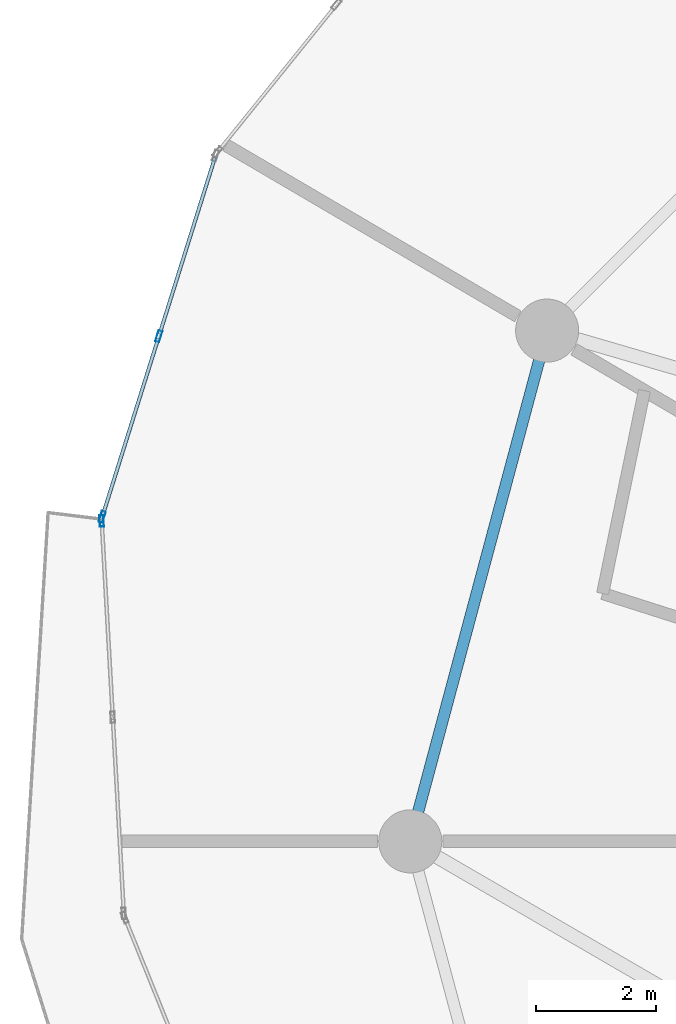
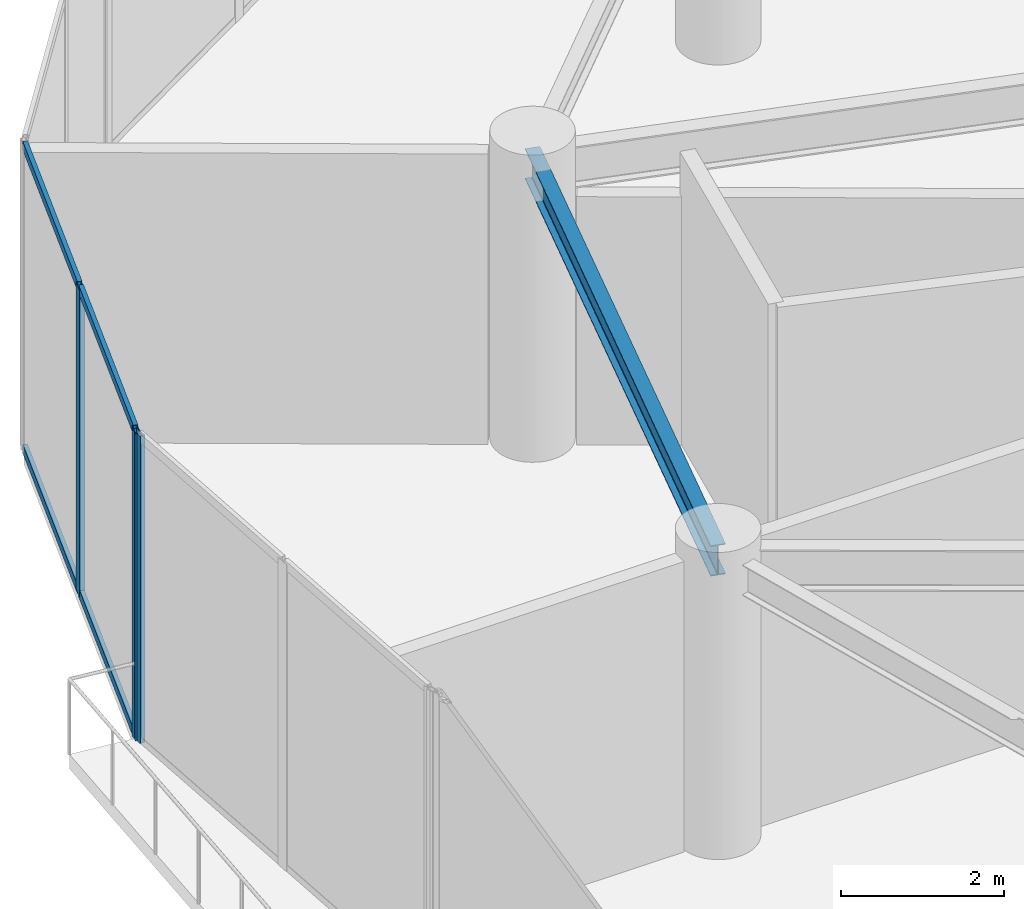
# One storey, part 9 of 28: 7 members, 1 beam, 2 elements without a shape of their own.
"""IFC4 building model written with IfcOpenShell, lengths in metres."""

from ifc_helpers import new_model, si_unit, direction, frame, origin, origin_2d, place, context, subcontext, project, spatial, hollow_rectangle, i_section, extrude, source, transform, mapped, material, layer, layer_set, material_profile, profile_set, type_object, element, aggregate, save


model = new_model("IFC4")

# Units and contexts
model_context = context("Model", 3, precision=1e-05, world=origin(), true_north=direction((0.0, 1.0)))
body_context = subcontext(model_context, "Body", "Model", "MODEL_VIEW")
ifc_project = project(units=[si_unit("LENGTHUNIT", "METRE"), si_unit("AREAUNIT", "SQUARE_METRE"), si_unit("VOLUMEUNIT", "CUBIC_METRE"), si_unit("PLANEANGLEUNIT", "RADIAN"), si_unit("MASSUNIT", "GRAM", prefix="KILO")], contexts=[model_context])

# Site, building, storey
site_placement = place(None, origin())
site = spatial("IfcSite", under=ifc_project, at=site_placement, CompositionType="ELEMENT")
building_placement = place(site_placement, origin())
building = spatial("IfcBuilding", under=site, at=building_placement, Name="Solvirekh Grand Hotel", CompositionType="ELEMENT")
storey_placement = place(building_placement, frame((0.0, 0.0, 98.0)))
storey = spatial("IfcBuildingStorey", under=building, at=storey_placement, Name="L24", CompositionType="ELEMENT", Elevation=98.0)

# Beam
ifc_material_1 = material(Name="Steel S355", Category="steel")
ifc_material_profile_1 = material_profile(ifc_material_1, i_section(OverallWidth=0.18994140625, OverallDepth=0.45703125, WebThickness=0.009033203125, FlangeThickness=0.013916015625, FilletRadius=0.012939453125, at=origin_2d()), Name="W460X74")
ifc_profile_set_1 = profile_set([ifc_material_profile_1], Name="Steel S355")
beam_type = type_object("IfcBeamType", Name="Spandrel_Ring_W460", PredefinedType="SPANDREL", material=ifc_profile_set_1)
beam_placement = place(storey_placement, frame((-14.721923828125, 8.5, 4.12109375), z_axis=(-0.258872908946, -0.965911391906, 0.0), x_axis=(0.965911391906, -0.258872908946, 0.0)))
element("IfcBeam", 1, at=beam_placement, inside=storey, type_object=beam_type, Name="L24 perimeter spandrel beam 6", PredefinedType="SPANDREL", context=body_context, shape_type="SweptSolid", body=[
    extrude(i_section(OverallWidth=0.18994140625, OverallDepth=0.45703125, WebThickness=0.009033203125, FlangeThickness=0.013916015625, FilletRadius=0.012939453125, at=origin_2d()), origin(), (0.0, 0.0, 1.0), 8.800048828125),
])

# Curtain wall, members
ifc_material_2 = material(Name="Anodized Bronze Aluminium 6063-T6", Category="aluminium")
ifc_layer = layer(ifc_material_2, 0.18994140625)
ifc_layer_set = layer_set([ifc_layer], Name="Anodized Bronze Aluminium 6063-T6")
curtain_wall_type = type_object("IfcCurtainWallType", Name="CW_Sys5_SkyLobbyPanoramaCW", PredefinedType="NOTDEFINED", material=ifc_layer_set)
curtain_wall_1_placement = place(storey_placement, origin())
curtain_wall_1 = element("IfcCurtainWall", 2, at=curtain_wall_1_placement, inside=storey, type_object=curtain_wall_type, Name="L24 unitised bronze-glass curtain wall CW-L24-C11", PredefinedType="NOTDEFINED")
ifc_material_profile_2 = material_profile(ifc_material_2, hollow_rectangle(XDim=0.070068359375, YDim=0.18994140625, WallThickness=0.0048828125, at=origin_2d()), Name="ALU RHS 190X70X5")
ifc_profile_set_2 = profile_set([ifc_material_profile_2], Name="Anodized Bronze Aluminium 6063-T6")
member_type_1 = type_object("IfcMemberType", Name="CWMullion_Sys5", PredefinedType="MULLION", material=ifc_profile_set_2)
shared_shape_1 = source(origin(), body_context, "Body", "SweptSolid", [
    extrude(hollow_rectangle(XDim=0.070068359375, YDim=0.18994140625, WallThickness=0.0048828125, at=origin_2d()), origin(), (0.0, 0.0, 1.0), 4.60009765625),
])
member_1_placement = place(storey_placement, frame((-21.18310546875, 8.405517578125, 0.0), z_axis=(0.0, 0.0, 1.0), x_axis=(0.95416934707, -0.299267200193, 0.0)))
member_1 = element("IfcMember", 3, at=member_1_placement, type_object=member_type_1, Name="U05 mullion 2", PredefinedType="MULLION", context=body_context, shape_type="MappedRepresentation", body=[
    mapped(shared_shape_1, transform((0.0, 0.0, 0.0), x_axis=(1.0, 0.0, 0.0), y_axis=(0.0, 1.0, 0.0), z_axis=(0.0, 0.0, 1.0), scale=1.0)),
])
member_2_placement = place(storey_placement, frame((-22.12548828125, 5.400390625, 0.0), z_axis=(0.0, 0.0, 1.0), x_axis=(0.95416934707, -0.299267200193, 0.0)))
member_2 = element("IfcMember", 4, at=member_2_placement, type_object=member_type_1, Name="U05 mullion 3", PredefinedType="MULLION", context=body_context, shape_type="MappedRepresentation", body=[
    mapped(shared_shape_1, transform((0.0, 0.0, 0.0), x_axis=(1.0, 0.0, 0.0), y_axis=(0.0, 1.0, 0.0), z_axis=(0.0, 0.0, 1.0), scale=1.0)),
])

# Curtain wall, member
curtain_wall_2_placement = place(storey_placement, origin())
curtain_wall_2 = element("IfcCurtainWall", 5, at=curtain_wall_2_placement, inside=storey, type_object=curtain_wall_type, Name="L24 unitised bronze-glass curtain wall CW-L24-C12", PredefinedType="NOTDEFINED")
member_3_placement = place(storey_placement, frame((-22.134033203125, 5.33203125, 0.0), z_axis=(0.0, 0.0, 1.0), x_axis=(0.998416302601, 0.056257325751, 0.0)))
member_3 = element("IfcMember", 6, at=member_3_placement, type_object=member_type_1, Name="U05 mullion 1", PredefinedType="MULLION", context=body_context, shape_type="MappedRepresentation", body=[
    mapped(shared_shape_1, transform((0.0, 0.0, 0.0), x_axis=(1.0, 0.0, 0.0), y_axis=(0.0, 1.0, 0.0), z_axis=(0.0, 0.0, 1.0), scale=1.0)),
])
aggregate(curtain_wall_2, [member_3])

# Member
ifc_material_profile_3 = material_profile(ifc_material_2, hollow_rectangle(XDim=0.06005859375, YDim=0.135009765625, WallThickness=0.00390625, at=origin_2d()), Name="ALU RHS 135X60X4")
ifc_profile_set_3 = profile_set([ifc_material_profile_3], Name="Anodized Bronze Aluminium 6063-T6")
member_type_2 = type_object("IfcMemberType", Name="CWTransom_Sys5", PredefinedType="USERDEFINED", material=ifc_profile_set_3)
shared_shape_2 = source(origin(), body_context, "Body", "SweptSolid", [
    extrude(hollow_rectangle(XDim=0.06005859375, YDim=0.135009765625, WallThickness=0.00390625, at=origin_2d()), origin(), (0.0, 0.0, 1.0), 3.079345703125),
])
member_4_placement = place(storey_placement, frame((-20.2509765625, 11.377197265625, 0.030029296875), z_axis=(-0.299290540064, -0.954162026402, 0.0), x_axis=(0.954162026402, -0.299290540064, 0.0)))
member_4 = element("IfcMember", 7, at=member_4_placement, type_object=member_type_2, Name="U05 transom 1.1", ObjectType="TRANSOM", PredefinedType="USERDEFINED", context=body_context, shape_type="MappedRepresentation", body=[
    mapped(shared_shape_2, transform((0.0, 0.0, 0.0), x_axis=(1.0, 0.0, 0.0), y_axis=(0.0, 1.0, 0.0), z_axis=(0.0, 0.0, 1.0), scale=1.0)),
])

member_5_placement = place(storey_placement, frame((-20.2509765625, 11.377197265625, 4.570068359375), z_axis=(-0.299290540064, -0.954162026402, 0.0), x_axis=(0.954162026402, -0.299290540064, 0.0)))
member_5 = element("IfcMember", 8, at=member_5_placement, type_object=member_type_2, Name="U05 transom 1.2", ObjectType="TRANSOM", PredefinedType="USERDEFINED", context=body_context, shape_type="MappedRepresentation", body=[
    mapped(shared_shape_2, transform((0.0, 0.0, 0.0), x_axis=(1.0, 0.0, 0.0), y_axis=(0.0, 1.0, 0.0), z_axis=(0.0, 0.0, 1.0), scale=1.0)),
])

member_6_placement = place(storey_placement, frame((-21.193359375, 8.3720703125, 0.030029296875), z_axis=(-0.299290540064, -0.954162026402, 0.0), x_axis=(0.954162026402, -0.299290540064, 0.0)))
member_6 = element("IfcMember", 9, at=member_6_placement, type_object=member_type_2, Name="U05 transom 2.1", ObjectType="TRANSOM", PredefinedType="USERDEFINED", context=body_context, shape_type="MappedRepresentation", body=[
    mapped(shared_shape_2, transform((0.0, 0.0, 0.0), x_axis=(1.0, 0.0, 0.0), y_axis=(0.0, 1.0, 0.0), z_axis=(0.0, 0.0, 1.0), scale=1.0)),
])

member_7_placement = place(storey_placement, frame((-21.193359375, 8.3720703125, 4.570068359375), z_axis=(-0.299290540064, -0.954162026402, 0.0), x_axis=(0.954162026402, -0.299290540064, 0.0)))
member_7 = element("IfcMember", 10, at=member_7_placement, type_object=member_type_2, Name="U05 transom 2.2", ObjectType="TRANSOM", PredefinedType="USERDEFINED", context=body_context, shape_type="MappedRepresentation", body=[
    mapped(shared_shape_2, transform((0.0, 0.0, 0.0), x_axis=(1.0, 0.0, 0.0), y_axis=(0.0, 1.0, 0.0), z_axis=(0.0, 0.0, 1.0), scale=1.0)),
])

aggregate(curtain_wall_1, [member_1, member_2, member_4, member_5, member_6, member_7])

save(model, "model.ifc")
